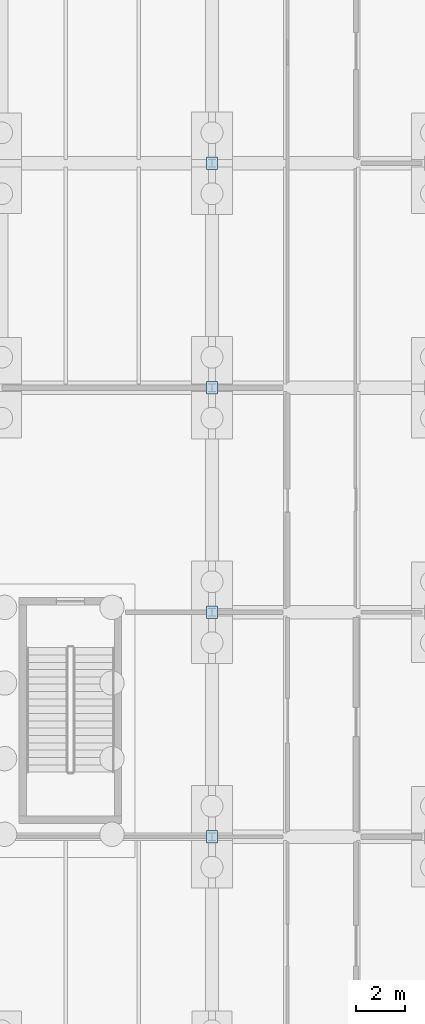
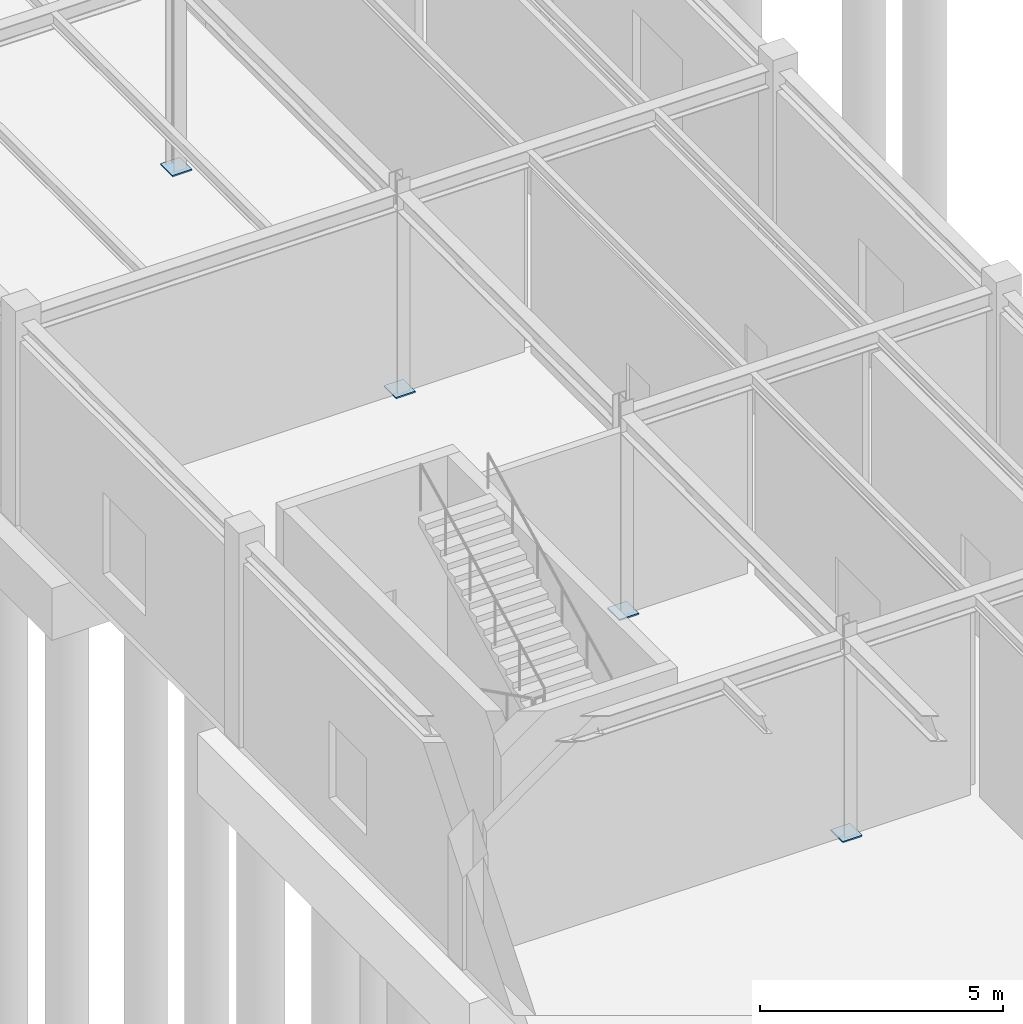
# One storey, part 44 of 76: 4 plates.
"""IFC4 building model written with IfcOpenShell, lengths in metres."""

from ifc_helpers import new_model, si_unit, direction, frame, origin, origin_2d, place, context, subcontext, project, spatial, rectangle, extrude, material, layer, layer_set, type_object, element, save


model = new_model("IFC4")

# Units and contexts
model_context = context("Model", 3, precision=1e-05, world=origin(), true_north=direction((0.0, 1.0)))
body_context = subcontext(model_context, "Body", "Model", "MODEL_VIEW")
ifc_project = project(units=[si_unit("LENGTHUNIT", "METRE"), si_unit("AREAUNIT", "SQUARE_METRE"), si_unit("VOLUMEUNIT", "CUBIC_METRE"), si_unit("PLANEANGLEUNIT", "RADIAN"), si_unit("MASSUNIT", "GRAM", prefix="KILO")], contexts=[model_context])

# Site, building, storey
site_placement = place(None, origin())
site = spatial("IfcSite", under=ifc_project, at=site_placement, CompositionType="ELEMENT")
building_placement = place(site_placement, origin())
building = spatial("IfcBuilding", under=site, at=building_placement, Name="Bozkorgan Art Gallery", CompositionType="ELEMENT")
storey_placement = place(building_placement, origin())
storey = spatial("IfcBuildingStorey", under=building, at=storey_placement, Name="L00", CompositionType="ELEMENT", Elevation=0.0)

# Plates
ifc_material = material(Name="Steel S355J2", Category="steel")
ifc_layer = layer(ifc_material, 0.031982421875, Name="Steel S355J2")
ifc_layer_set = layer_set([ifc_layer], Name="Steel S355J2")
plate_type = type_object("IfcPlateType", Name="PLATE-BP-57", PredefinedType="USERDEFINED", material=ifc_layer_set)
for number, where, z_axis, x_axis, name in (
    (1, (11.0, 66.0, 0.0), (0.0, 0.0, 1.0), (1.0, 0.0, 0.0), "COL-V2-L00-11-66 base plate"),
    (2, (11.0, 75.199951171875, 0.0), (0.0, 0.0, 1.0), (1.0, 0.0, 0.0), "COL-V2-L00-11-75 base plate"),
    (3, (11.0, 84.39990234375, 0.0), (0.0, 0.0, 1.0), (1.0, 0.0, 0.0), "COL-V2-L00-11-84 base plate"),
    (4, (11.0, 93.60009765625, 0.0), (0.0, 0.0, 1.0), (1.0, 0.0, 0.0), "COL-V2-L00-11-94 base plate"),
):
    element("IfcPlate", number, at=place(storey_placement, frame(where, z_axis=z_axis, x_axis=x_axis)), inside=storey, type_object=plate_type, Name=name, ObjectType="END CAP PLATE", PredefinedType="USERDEFINED", context=body_context, shape_type="SweptSolid", body=[
        extrude(rectangle(XDim=0.4599609375, YDim=0.5, at=origin_2d()), origin(), (0.0, 0.0, 1.0), 0.031982421875),
    ])

save(model, "model.ifc")
